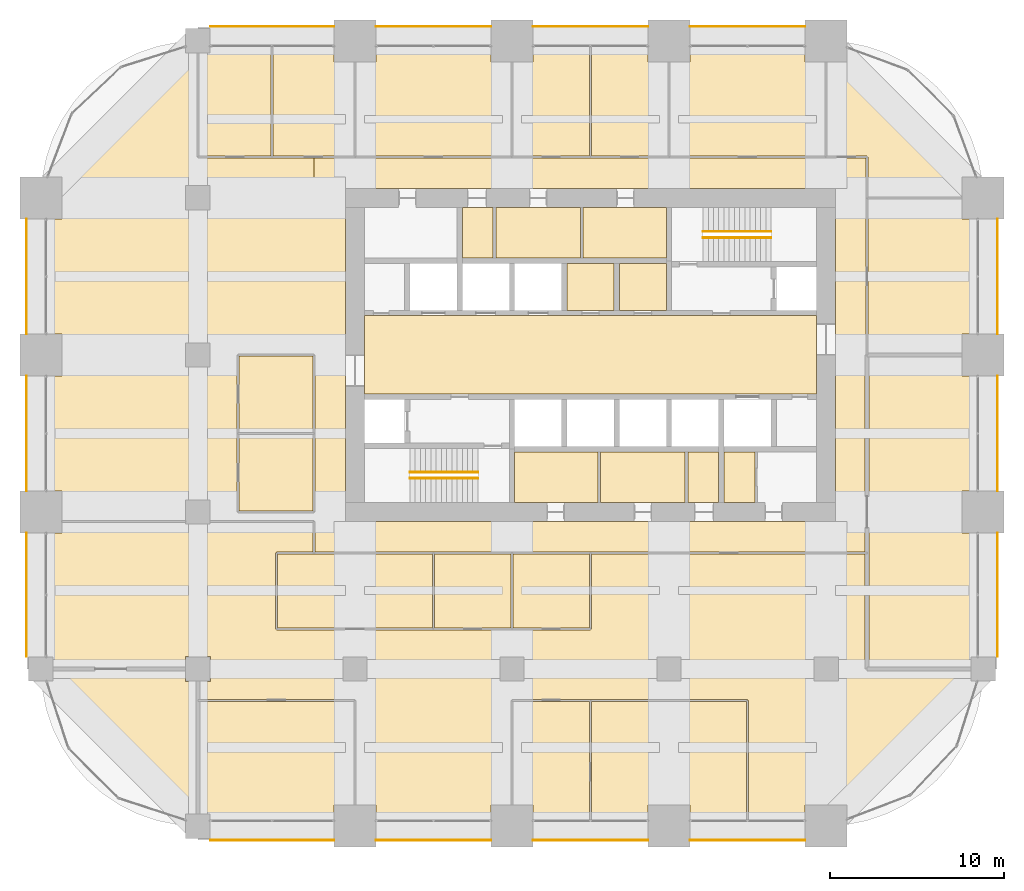
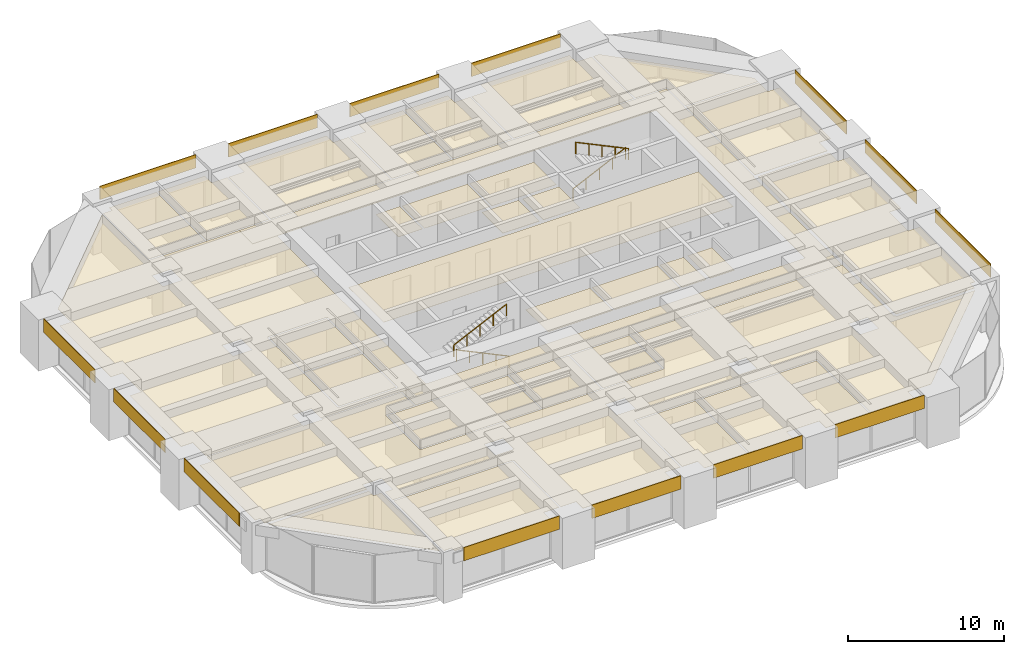
# One storey, part 34 of 34: 45 coverings, 4 railings.
"""IFC4 building model written with IfcOpenShell, lengths in metres."""

from ifc_helpers import new_model, si_unit, direction, frame, frame_2d, origin, origin_2d, place, context, subcontext, project, spatial, polyline, rectangle, circle, outline, extrude, material, layer, layer_set, type_object, element, save


model = new_model("IFC4")

# Units and contexts
model_context = context("Model", 3, precision=1e-05, world=origin(), true_north=direction((0.0, 1.0)))
body_context = subcontext(model_context, "Body", "Model", "MODEL_VIEW")
ifc_project = project(units=[si_unit("LENGTHUNIT", "METRE"), si_unit("AREAUNIT", "SQUARE_METRE"), si_unit("VOLUMEUNIT", "CUBIC_METRE"), si_unit("PLANEANGLEUNIT", "RADIAN"), si_unit("MASSUNIT", "GRAM", prefix="KILO")], contexts=[model_context])

# Site, building, storey
site_placement = place(None, origin())
site = spatial("IfcSite", under=ifc_project, at=site_placement, CompositionType="ELEMENT")
building_placement = place(site_placement, origin())
building = spatial("IfcBuilding", under=site, at=building_placement, Name="Zorevar Civic Tower", CompositionType="ELEMENT")
storey_placement = place(building_placement, frame((0.0, 0.0, 226.199951171875)))
storey = spatial("IfcBuildingStorey", under=building, at=storey_placement, Name="L55", CompositionType="ELEMENT", Elevation=226.199951171875)

# Railings
ifc_material_1 = material(Name="Black steel handrail", Category="steel")
railing_type = type_object("IfcRailingType", Name="Handrail HR1 900", PredefinedType="HANDRAIL", material=ifc_material_1)
railing_1_placement = place(storey_placement, frame((25.050048828125, 19.925048828125, 0.142822265625)))
element("IfcRailing", 1, at=railing_1_placement, inside=storey, type_object=railing_type, Name="Handrail HR1 ST1 L55", PredefinedType="HANDRAIL", context=body_context, shape_type="SweptSolid", body=[
    extrude(circle(Radius=0.02392578125, at=origin_2d()), frame((0.0, 0.0, 0.8759765625), z_axis=(-0.902863652845, 0.0, 0.429926998885), x_axis=(0.0, -1.0, 0.0)), (0.0, 0.0, 1.0), 4.31982421875),
    extrude(circle(Radius=0.02099609375, at=origin_2d()), origin(), (0.0, 0.0, 1.0), 0.851806640625),
    extrude(circle(Radius=0.02099609375, at=origin_2d()), frame((-0.97509765625, 0.0, 0.46435546875)), (0.0, 0.0, 1.0), 0.851806640625),
    extrude(circle(Radius=0.02099609375, at=origin_2d()), frame((-1.9501953125, 0.0, 0.9287109375)), (0.0, 0.0, 1.0), 0.851806640625),
    extrude(circle(Radius=0.02099609375, at=origin_2d()), frame((-2.925048828125, 0.0, 1.392822265625)), (0.0, 0.0, 1.0), 0.851806640625),
    extrude(circle(Radius=0.02099609375, at=origin_2d()), frame((-3.900146484375, 0.0, 1.857177734375)), (0.0, 0.0, 1.0), 0.851806640625),
])
for number, where, name in (
    (2, (21.14990234375, 20.27490234375, 2.142822265625), "Handrail HR1 ST1 L55"),
    (3, (37.949951171875, 34.074951171875, 0.142822265625), "Handrail HR1 ST2 L55"),
):
    element("IfcRailing", number, at=place(storey_placement, frame(where)), inside=storey, type_object=railing_type, Name=name, PredefinedType="HANDRAIL", context=body_context, shape_type="SweptSolid", body=[
        extrude(circle(Radius=0.02392578125, at=origin_2d()), frame((0.0, 0.0, 0.8759765625), z_axis=(0.902863652845, 0.0, 0.429926998885), x_axis=(0.0, 1.0, 0.0)), (0.0, 0.0, 1.0), 4.31982421875),
        extrude(circle(Radius=0.02099609375, at=origin_2d()), origin(), (0.0, 0.0, 1.0), 0.851806640625),
        extrude(circle(Radius=0.02099609375, at=origin_2d()), frame((0.97509765625, 0.0, 0.46435546875)), (0.0, 0.0, 1.0), 0.851806640625),
        extrude(circle(Radius=0.02099609375, at=origin_2d()), frame((1.9501953125, 0.0, 0.9287109375)), (0.0, 0.0, 1.0), 0.851806640625),
        extrude(circle(Radius=0.02099609375, at=origin_2d()), frame((2.925048828125, 0.0, 1.392822265625)), (0.0, 0.0, 1.0), 0.851806640625),
        extrude(circle(Radius=0.02099609375, at=origin_2d()), frame((3.900146484375, 0.0, 1.857177734375)), (0.0, 0.0, 1.0), 0.851806640625),
    ])
railing_2_placement = place(storey_placement, frame((41.85009765625, 33.72509765625, 2.142822265625)))
element("IfcRailing", 4, at=railing_2_placement, inside=storey, type_object=railing_type, Name="Handrail HR1 ST2 L55", PredefinedType="HANDRAIL", context=body_context, shape_type="SweptSolid", body=[
    extrude(circle(Radius=0.02392578125, at=origin_2d()), frame((0.0, 0.0, 0.8759765625), z_axis=(-0.902863652845, 0.0, 0.429926998885), x_axis=(0.0, -1.0, 0.0)), (0.0, 0.0, 1.0), 4.31982421875),
    extrude(circle(Radius=0.02099609375, at=origin_2d()), origin(), (0.0, 0.0, 1.0), 0.851806640625),
    extrude(circle(Radius=0.02099609375, at=origin_2d()), frame((-0.97509765625, 0.0, 0.46435546875)), (0.0, 0.0, 1.0), 0.851806640625),
    extrude(circle(Radius=0.02099609375, at=origin_2d()), frame((-1.9501953125, 0.0, 0.9287109375)), (0.0, 0.0, 1.0), 0.851806640625),
    extrude(circle(Radius=0.02099609375, at=origin_2d()), frame((-2.925048828125, 0.0, 1.392822265625)), (0.0, 0.0, 1.0), 0.851806640625),
    extrude(circle(Radius=0.02099609375, at=origin_2d()), frame((-3.900146484375, 0.0, 1.857177734375)), (0.0, 0.0, 1.0), 0.851806640625),
])

# Coverings
ifc_material_2 = material(Name="Moisture-resistant gypsum board")
ifc_layer_1 = layer(ifc_material_2, 0.012451171875)
ifc_layer_set_1 = layer_set([ifc_layer_1], Name="Moisture-resistant ceiling SC3")
covering_type_1 = type_object("IfcCoveringType", Name="Moisture-resistant ceiling SC3", PredefinedType="CEILING", material=ifc_layer_set_1)
covering_1_placement = place(storey_placement, frame((0.0, 0.0, 3.0)))
element("IfcCovering", 5, at=covering_1_placement, inside=storey, type_object=covering_type_1, Name="Ceiling L55-05", PredefinedType="CEILING", context=body_context, shape_type="SweptSolid", body=[
    extrude(outline(polyline([(31.925048828125, 18.550048828125), (31.925048828125, 21.449951171875), (27.14990234375, 21.449951171875), (27.14990234375, 18.550048828125), (31.925048828125, 18.550048828125)])), origin(), (0.0, 0.0, 1.0), 0.012451171875),
])
covering_2_placement = place(storey_placement, frame((0.0, 0.0, 3.0)))
element("IfcCovering", 6, at=covering_2_placement, inside=storey, type_object=covering_type_1, Name="Ceiling L55-06", PredefinedType="CEILING", context=body_context, shape_type="SweptSolid", body=[
    extrude(outline(polyline([(36.925048828125, 18.550048828125), (36.925048828125, 21.449951171875), (32.074951171875, 21.449951171875), (32.074951171875, 18.550048828125), (36.925048828125, 18.550048828125)])), origin(), (0.0, 0.0, 1.0), 0.012451171875),
])
covering_3_placement = place(storey_placement, frame((0.0, 0.0, 3.0)))
element("IfcCovering", 7, at=covering_3_placement, inside=storey, type_object=covering_type_1, Name="Ceiling L55-07", PredefinedType="CEILING", context=body_context, shape_type="SweptSolid", body=[
    extrude(outline(polyline([(38.85009765625, 18.550048828125), (38.85009765625, 21.449951171875), (37.074951171875, 21.449951171875), (37.074951171875, 18.550048828125), (38.85009765625, 18.550048828125)])), origin(), (0.0, 0.0, 1.0), 0.012451171875),
])
covering_4_placement = place(storey_placement, frame((0.0, 0.0, 3.0)))
element("IfcCovering", 8, at=covering_4_placement, inside=storey, type_object=covering_type_1, Name="Ceiling L55-08", PredefinedType="CEILING", context=body_context, shape_type="SweptSolid", body=[
    extrude(outline(polyline([(35.85009765625, 32.550048828125), (35.85009765625, 35.449951171875), (31.074951171875, 35.449951171875), (31.074951171875, 32.550048828125), (35.85009765625, 32.550048828125)])), origin(), (0.0, 0.0, 1.0), 0.012451171875),
])
covering_5_placement = place(storey_placement, frame((0.0, 0.0, 3.0)))
element("IfcCovering", 9, at=covering_5_placement, inside=storey, type_object=covering_type_1, Name="Ceiling L55-09", PredefinedType="CEILING", context=body_context, shape_type="SweptSolid", body=[
    extrude(outline(polyline([(30.925048828125, 32.550048828125), (30.925048828125, 35.449951171875), (26.074951171875, 35.449951171875), (26.074951171875, 32.550048828125), (30.925048828125, 32.550048828125)])), origin(), (0.0, 0.0, 1.0), 0.012451171875),
])
covering_6_placement = place(storey_placement, frame((0.0, 0.0, 3.0)))
element("IfcCovering", 10, at=covering_6_placement, inside=storey, type_object=covering_type_1, Name="Ceiling L55-10", PredefinedType="CEILING", context=body_context, shape_type="SweptSolid", body=[
    extrude(outline(polyline([(25.925048828125, 32.550048828125), (25.925048828125, 35.449951171875), (24.14990234375, 35.449951171875), (24.14990234375, 32.550048828125), (25.925048828125, 32.550048828125)])), origin(), (0.0, 0.0, 1.0), 0.012451171875),
])
ifc_material_3 = material(Name="Black anodised aluminium spandrel panel", Category="aluminium")
ifc_layer_2 = layer(ifc_material_3, 0.050048828125)
ifc_layer_set_2 = layer_set([ifc_layer_2], Name="Spandrel cladding SP1")
covering_type_2 = type_object("IfcCoveringType", Name="Spandrel cladding SP1", PredefinedType="CLADDING", material=ifc_layer_set_2)
covering_7_placement = place(storey_placement, frame((9.699951171875, -0.824951171875, 2.949951171875), z_axis=(0.0, 0.0, 1.0), x_axis=(1.0, 0.0, 0.0)))
element("IfcCovering", 11, at=covering_7_placement, inside=storey, type_object=covering_type_2, Name="Spandrel cladding L56", PredefinedType="CLADDING", context=body_context, shape_type="SweptSolid", body=[
    extrude(rectangle(XDim=7.10009765625, YDim=0.050048828125, at=frame_2d((3.550048828125, 0.0))), origin(), (0.0, 0.0, 1.0), 1.050048828125),
])
for number, where, z_axis, x_axis, name in (
    (12, (19.199951171875, -0.824951171875, 2.949951171875), (0.0, 0.0, 1.0), (1.0, 0.0, 0.0), "Spandrel cladding L56"),
    (13, (28.199951171875, -0.824951171875, 2.949951171875), (0.0, 0.0, 1.0), (1.0, 0.0, 0.0), "Spandrel cladding L56"),
    (14, (37.199951171875, -0.824951171875, 2.949951171875), (0.0, 0.0, 1.0), (1.0, 0.0, 0.0), "Spandrel cladding L56"),
):
    element("IfcCovering", number, at=place(storey_placement, frame(where, z_axis=z_axis, x_axis=x_axis)), inside=storey, type_object=covering_type_2, Name=name, PredefinedType="CLADDING", context=body_context, shape_type="SweptSolid", body=[
        extrude(rectangle(XDim=6.60009765625, YDim=0.050048828125, at=frame_2d((3.300048828125, 0.0))), origin(), (0.0, 0.0, 1.0), 1.050048828125),
    ])
covering_8_placement = place(storey_placement, frame((9.699951171875, 45.824951171875, 2.949951171875), z_axis=(0.0, 0.0, 1.0), x_axis=(1.0, 0.0, 0.0)))
element("IfcCovering", 15, at=covering_8_placement, inside=storey, type_object=covering_type_2, Name="Spandrel cladding L56", PredefinedType="CLADDING", context=body_context, shape_type="SweptSolid", body=[
    extrude(rectangle(XDim=7.10009765625, YDim=0.050048828125, at=frame_2d((3.550048828125, 0.0))), origin(), (0.0, 0.0, 1.0), 1.050048828125),
])
for number, where, z_axis, x_axis, name in (
    (16, (19.199951171875, 45.824951171875, 2.949951171875), (0.0, 0.0, 1.0), (1.0, 0.0, 0.0), "Spandrel cladding L56"),
    (17, (28.199951171875, 45.824951171875, 2.949951171875), (0.0, 0.0, 1.0), (1.0, 0.0, 0.0), "Spandrel cladding L56"),
    (18, (37.199951171875, 45.824951171875, 2.949951171875), (0.0, 0.0, 1.0), (1.0, 0.0, 0.0), "Spandrel cladding L56"),
):
    element("IfcCovering", number, at=place(storey_placement, frame(where, z_axis=z_axis, x_axis=x_axis)), inside=storey, type_object=covering_type_2, Name=name, PredefinedType="CLADDING", context=body_context, shape_type="SweptSolid", body=[
        extrude(rectangle(XDim=6.60009765625, YDim=0.050048828125, at=frame_2d((3.300048828125, 0.0))), origin(), (0.0, 0.0, 1.0), 1.050048828125),
    ])
covering_9_placement = place(storey_placement, frame((-0.824951171875, 9.699951171875, 2.949951171875), z_axis=(0.0, 0.0, 1.0), x_axis=(0.0, 1.0, 0.0)))
element("IfcCovering", 19, at=covering_9_placement, inside=storey, type_object=covering_type_2, Name="Spandrel cladding L56", PredefinedType="CLADDING", context=body_context, shape_type="SweptSolid", body=[
    extrude(rectangle(XDim=7.10009765625, YDim=0.050048828125, at=frame_2d((3.550048828125, 0.0))), origin(), (0.0, 0.0, 1.0), 1.050048828125),
])
for number, where, z_axis, x_axis, name in (
    (20, (-0.824951171875, 19.199951171875, 2.949951171875), (0.0, 0.0, 1.0), (0.0, 1.0, 0.0), "Spandrel cladding L56"),
    (21, (-0.824951171875, 28.199951171875, 2.949951171875), (0.0, 0.0, 1.0), (0.0, 1.0, 0.0), "Spandrel cladding L56"),
):
    element("IfcCovering", number, at=place(storey_placement, frame(where, z_axis=z_axis, x_axis=x_axis)), inside=storey, type_object=covering_type_2, Name=name, PredefinedType="CLADDING", context=body_context, shape_type="SweptSolid", body=[
        extrude(rectangle(XDim=6.60009765625, YDim=0.050048828125, at=frame_2d((3.300048828125, 0.0))), origin(), (0.0, 0.0, 1.0), 1.050048828125),
    ])
covering_10_placement = place(storey_placement, frame((54.824951171875, 9.699951171875, 2.949951171875), z_axis=(0.0, 0.0, 1.0), x_axis=(0.0, 1.0, 0.0)))
element("IfcCovering", 22, at=covering_10_placement, inside=storey, type_object=covering_type_2, Name="Spandrel cladding L56", PredefinedType="CLADDING", context=body_context, shape_type="SweptSolid", body=[
    extrude(rectangle(XDim=7.10009765625, YDim=0.050048828125, at=frame_2d((3.550048828125, 0.0))), origin(), (0.0, 0.0, 1.0), 1.050048828125),
])
for number, where, z_axis, x_axis, name in (
    (23, (54.824951171875, 19.199951171875, 2.949951171875), (0.0, 0.0, 1.0), (0.0, 1.0, 0.0), "Spandrel cladding L56"),
    (24, (54.824951171875, 28.199951171875, 2.949951171875), (0.0, 0.0, 1.0), (0.0, 1.0, 0.0), "Spandrel cladding L56"),
):
    element("IfcCovering", number, at=place(storey_placement, frame(where, z_axis=z_axis, x_axis=x_axis)), inside=storey, type_object=covering_type_2, Name=name, PredefinedType="CLADDING", context=body_context, shape_type="SweptSolid", body=[
        extrude(rectangle(XDim=6.60009765625, YDim=0.050048828125, at=frame_2d((3.300048828125, 0.0))), origin(), (0.0, 0.0, 1.0), 1.050048828125),
    ])
ifc_material_4 = material(Name="Mineral fibre tiles on a concealed grid")
ifc_layer_3 = layer(ifc_material_4, 0.02001953125)
ifc_layer_set_3 = layer_set([ifc_layer_3], Name="Suspended ceiling SC1")
covering_type_3 = type_object("IfcCoveringType", Name="Suspended ceiling SC1", PredefinedType="CEILING", material=ifc_layer_set_3)
covering_11_placement = place(storey_placement, frame((0.0, 0.0, 3.0)))
element("IfcCovering", 25, at=covering_11_placement, inside=storey, type_object=covering_type_3, Name="Ceiling L55-11", PredefinedType="CEILING", context=body_context, shape_type="SweptSolid", body=[
    extrude(outline(polyline([(40.93994140625, 18.550048828125), (40.93994140625, 21.449951171875), (39.14990234375, 21.449951171875), (39.14990234375, 18.550048828125), (40.93994140625, 18.550048828125)])), origin(), (0.0, 0.0, 1.0), 0.02001953125),
])
covering_12_placement = place(storey_placement, frame((0.0, 0.0, 3.0)))
element("IfcCovering", 26, at=covering_12_placement, inside=storey, type_object=covering_type_3, Name="Ceiling L55-16", PredefinedType="CEILING", context=body_context, shape_type="SweptSolid", body=[
    extrude(outline(polyline([(44.449951171875, 24.75), (44.449951171875, 29.25), (18.550048828125, 29.25), (18.550048828125, 24.75), (44.449951171875, 24.75)])), origin(), (0.0, 0.0, 1.0), 0.02001953125),
])
covering_13_placement = place(storey_placement, frame((0.0, 0.0, 3.0)))
element("IfcCovering", 27, at=covering_13_placement, inside=storey, type_object=covering_type_3, Name="Ceiling L55-17", PredefinedType="CEILING", context=body_context, shape_type="SweptSolid", body=[
    extrude(outline(polyline([(35.85009765625, 29.550048828125), (35.85009765625, 32.25), (33.14990234375, 32.25), (33.14990234375, 29.550048828125), (35.85009765625, 29.550048828125)])), origin(), (0.0, 0.0, 1.0), 0.02001953125),
])
covering_14_placement = place(storey_placement, frame((0.0, 0.0, 3.0)))
element("IfcCovering", 28, at=covering_14_placement, inside=storey, type_object=covering_type_3, Name="Ceiling L55-18", PredefinedType="CEILING", context=body_context, shape_type="SweptSolid", body=[
    extrude(outline(polyline([(32.85009765625, 29.550048828125), (32.85009765625, 32.25), (30.14990234375, 32.25), (30.14990234375, 29.550048828125), (32.85009765625, 29.550048828125)])), origin(), (0.0, 0.0, 1.0), 0.02001953125),
])
covering_15_placement = place(storey_placement, frame((0.0, 0.0, 3.0)))
element("IfcCovering", 29, at=covering_15_placement, inside=storey, type_object=covering_type_3, Name="Ceiling L55-19", PredefinedType="CEILING", context=body_context, shape_type="SweptSolid", body=[
    extrude(outline(polyline([(53.64990234375, 19.2099609375), (52.7900390625, 19.2099609375), (52.7900390625, 16.7900390625), (53.64990234375, 16.7900390625), (53.64990234375, 9.7099609375), (53.2900390625, 9.7099609375), (53.2900390625, 9.125), (47.47509765625, 9.125), (47.47509765625, 26.875), (52.7900390625, 26.875), (52.7900390625, 25.7900390625), (53.64990234375, 25.7900390625), (53.64990234375, 19.2099609375)])), origin(), (0.0, 0.0, 1.0), 0.02001953125),
])
covering_16_placement = place(storey_placement, frame((0.0, 0.0, 3.0)))
element("IfcCovering", 30, at=covering_16_placement, inside=storey, type_object=covering_type_3, Name="Ceiling L55-20", PredefinedType="CEILING", context=body_context, shape_type="SweptSolid", body=[
    extrude(outline(polyline([(53.64990234375, 28.2099609375), (52.7900390625, 28.2099609375), (52.7900390625, 27.125), (47.409912109375, 27.125), (47.409912109375, 35.93994140625), (52.7900390625, 35.93994140625), (52.7900390625, 34.7900390625), (53.64990234375, 34.7900390625), (53.64990234375, 28.2099609375)])), origin(), (0.0, 0.0, 1.0), 0.02001953125),
])
covering_17_placement = place(storey_placement, frame((0.0, 0.0, 3.0)))
element("IfcCovering", 31, at=covering_17_placement, inside=storey, type_object=covering_type_3, Name="Ceiling L55-21", PredefinedType="CEILING", context=body_context, shape_type="SweptSolid", body=[
    extrude(outline(polyline([(9.7099609375, 0.35009765625), (9.7099609375, 0.7099609375), (9.125, 0.7099609375), (9.125, 7.139892578125), (17.93994140625, 7.139892578125), (17.93994140625, 1.2099609375), (16.7900390625, 1.2099609375), (16.7900390625, 0.35009765625), (9.7099609375, 0.35009765625)])), origin(), (0.0, 0.0, 1.0), 0.02001953125),
])
covering_18_placement = place(storey_placement, frame((0.0, 0.0, 3.0)))
element("IfcCovering", 32, at=covering_18_placement, inside=storey, type_object=covering_type_3, Name="Ceiling L55-22", PredefinedType="CEILING", context=body_context, shape_type="SweptSolid", body=[
    extrude(outline(polyline([(31.43994140625, 7.139892578125), (31.43994140625, 0.35009765625), (28.2099609375, 0.35009765625), (28.2099609375, 1.2099609375), (27.06005859375, 1.2099609375), (27.06005859375, 7.139892578125), (31.43994140625, 7.139892578125)])), origin(), (0.0, 0.0, 1.0), 0.02001953125),
])
covering_19_placement = place(storey_placement, frame((0.0, 0.0, 3.0)))
element("IfcCovering", 33, at=covering_19_placement, inside=storey, type_object=covering_type_3, Name="Ceiling L55-23", PredefinedType="CEILING", context=body_context, shape_type="SweptSolid", body=[
    extrude(outline(polyline([(40.43994140625, 7.139892578125), (40.43994140625, 0.35009765625), (37.2099609375, 0.35009765625), (37.2099609375, 1.2099609375), (34.7900390625, 1.2099609375), (34.7900390625, 0.35009765625), (31.56005859375, 0.35009765625), (31.56005859375, 7.139892578125), (40.43994140625, 7.139892578125)])), origin(), (0.0, 0.0, 1.0), 0.02001953125),
])
covering_20_placement = place(storey_placement, frame((0.0, 0.0, 3.0)))
element("IfcCovering", 34, at=covering_20_placement, inside=storey, type_object=covering_type_3, Name="Ceiling L55-24", PredefinedType="CEILING", context=body_context, shape_type="SweptSolid", body=[
    extrude(outline(polyline([(13.56005859375, 15.590087890625), (22.43994140625, 15.590087890625), (22.43994140625, 11.35009765625), (13.56005859375, 11.35009765625), (13.56005859375, 15.590087890625)])), origin(), (0.0, 0.0, 1.0), 0.02001953125),
])
covering_21_placement = place(storey_placement, frame((0.0, 0.0, 3.0)))
element("IfcCovering", 35, at=covering_21_placement, inside=storey, type_object=covering_type_3, Name="Ceiling L55-25", PredefinedType="CEILING", context=body_context, shape_type="SweptSolid", body=[
    extrude(outline(polyline([(22.56005859375, 15.590087890625), (26.93994140625, 15.590087890625), (26.93994140625, 11.35009765625), (22.56005859375, 11.35009765625), (22.56005859375, 15.590087890625)])), origin(), (0.0, 0.0, 1.0), 0.02001953125),
])
covering_22_placement = place(storey_placement, frame((0.0, 0.0, 3.0)))
element("IfcCovering", 36, at=covering_22_placement, inside=storey, type_object=covering_type_3, Name="Ceiling L55-26", PredefinedType="CEILING", context=body_context, shape_type="SweptSolid", body=[
    extrude(outline(polyline([(27.06005859375, 15.590087890625), (31.43994140625, 15.590087890625), (31.43994140625, 11.35009765625), (27.06005859375, 11.35009765625), (27.06005859375, 15.590087890625)])), origin(), (0.0, 0.0, 1.0), 0.02001953125),
])
covering_23_placement = place(storey_placement, frame((0.0, 0.0, 3.0)))
element("IfcCovering", 37, at=covering_23_placement, inside=storey, type_object=covering_type_3, Name="Ceiling L55-27", PredefinedType="CEILING", context=body_context, shape_type="SweptSolid", body=[
    extrude(outline(polyline([(15.590087890625, 22.43994140625), (15.590087890625, 18.06005859375), (11.360107421875, 18.06005859375), (11.360107421875, 22.43994140625), (15.590087890625, 22.43994140625)])), origin(), (0.0, 0.0, 1.0), 0.02001953125),
])
covering_24_placement = place(storey_placement, frame((0.0, 0.0, 3.0)))
element("IfcCovering", 38, at=covering_24_placement, inside=storey, type_object=covering_type_3, Name="Ceiling L55-28", PredefinedType="CEILING", context=body_context, shape_type="SweptSolid", body=[
    extrude(outline(polyline([(11.360107421875, 22.56005859375), (11.360107421875, 26.93994140625), (15.590087890625, 26.93994140625), (15.590087890625, 22.56005859375), (11.360107421875, 22.56005859375)])), origin(), (0.0, 0.0, 1.0), 0.02001953125),
])
covering_25_placement = place(storey_placement, frame((0.0, 0.0, 3.0)))
element("IfcCovering", 39, at=covering_25_placement, inside=storey, type_object=covering_type_3, Name="Ceiling L55-29", PredefinedType="CEILING", context=body_context, shape_type="SweptSolid", body=[
    extrude(outline(polyline([(9.06005859375, 38.409912109375), (9.06005859375, 44.2900390625), (9.7099609375, 44.2900390625), (9.7099609375, 44.64990234375), (13.18994140625, 44.64990234375), (13.18994140625, 38.409912109375), (9.06005859375, 38.409912109375)])), origin(), (0.0, 0.0, 1.0), 0.02001953125),
])
covering_26_placement = place(storey_placement, frame((0.0, 0.0, 3.0)))
element("IfcCovering", 40, at=covering_26_placement, inside=storey, type_object=covering_type_3, Name="Ceiling L55-30", PredefinedType="CEILING", context=body_context, shape_type="SweptSolid", body=[
    extrude(outline(polyline([(13.31005859375, 38.409912109375), (13.31005859375, 44.64990234375), (16.7900390625, 44.64990234375), (16.7900390625, 43.7900390625), (17.93994140625, 43.7900390625), (17.93994140625, 38.409912109375), (13.31005859375, 38.409912109375)])), origin(), (0.0, 0.0, 1.0), 0.02001953125),
])
covering_27_placement = place(storey_placement, frame((0.0, 0.0, 3.0)))
element("IfcCovering", 41, at=covering_27_placement, inside=storey, type_object=covering_type_3, Name="Ceiling L55-31", PredefinedType="CEILING", context=body_context, shape_type="SweptSolid", body=[
    extrude(outline(polyline([(27.06005859375, 38.409912109375), (27.06005859375, 43.7900390625), (28.2099609375, 43.7900390625), (28.2099609375, 44.64990234375), (31.43994140625, 44.64990234375), (31.43994140625, 38.409912109375), (27.06005859375, 38.409912109375)])), origin(), (0.0, 0.0, 1.0), 0.02001953125),
])
covering_28_placement = place(storey_placement, frame((0.0, 0.0, 3.0)))
element("IfcCovering", 42, at=covering_28_placement, inside=storey, type_object=covering_type_3, Name="Ceiling L55-32", PredefinedType="CEILING", context=body_context, shape_type="SweptSolid", body=[
    extrude(outline(polyline([(31.56005859375, 38.409912109375), (31.56005859375, 44.64990234375), (34.7900390625, 44.64990234375), (34.7900390625, 43.7900390625), (35.93994140625, 43.7900390625), (35.93994140625, 38.409912109375), (31.56005859375, 38.409912109375)])), origin(), (0.0, 0.0, 1.0), 0.02001953125),
])
covering_29_placement = place(storey_placement, frame((0.0, 0.0, 3.0)))
element("IfcCovering", 43, at=covering_29_placement, inside=storey, type_object=covering_type_3, Name="Ceiling L55-33", PredefinedType="CEILING", context=body_context, shape_type="SweptSolid", body=[
    extrude(outline(polyline([(37.2099609375, 43.7900390625), (37.2099609375, 44.64990234375), (43.7900390625, 44.64990234375), (43.7900390625, 43.7900390625), (44.93994140625, 43.7900390625), (44.93994140625, 38.409912109375), (36.06005859375, 38.409912109375), (36.06005859375, 43.7900390625), (37.2099609375, 43.7900390625)])), origin(), (0.0, 0.0, 1.0), 0.02001953125),
])
covering_30_placement = place(storey_placement, frame((0.0, 0.0, 3.0)))
element("IfcCovering", 44, at=covering_30_placement, inside=storey, type_object=covering_type_3, Name="Ceiling L55-34", PredefinedType="CEILING", context=body_context, shape_type="SweptSolid", body=[
    extrude(outline(polyline([(8.2900390625, 8.875), (8.2900390625, 8.2900390625), (8.875, 8.2900390625), (8.875, 0.83203125), (0.83203125, 8.875), (8.2900390625, 8.875)])), origin(), (0.0, 0.0, 1.0), 0.02001953125),
])
covering_31_placement = place(storey_placement, frame((0.0, 0.0, 3.0)))
element("IfcCovering", 45, at=covering_31_placement, inside=storey, type_object=covering_type_3, Name="Ceiling L55-35", PredefinedType="CEILING", context=body_context, shape_type="SweptSolid", body=[
    extrude(outline(polyline([(18.0, 38.2900390625), (18.0, 38.300048828125), (27.0, 38.300048828125), (27.0, 38.2900390625), (45.0, 38.2900390625), (45.0, 38.300048828125), (47.300048828125, 38.300048828125), (47.300048828125, 36.0), (47.2900390625, 36.0), (47.2900390625, 27.0), (47.22509765625, 27.0), (47.22509765625, 15.699951171875), (31.5, 15.699951171875), (31.5, 15.7099609375), (15.699951171875, 15.7099609375), (15.699951171875, 17.449951171875), (45.550048828125, 17.449951171875), (45.550048828125, 36.550048828125), (15.64990234375, 36.550048828125), (15.64990234375, 38.2900390625), (18.0, 38.2900390625)])), origin(), (0.0, 0.0, 1.0), 0.02001953125),
])
covering_32_placement = place(storey_placement, frame((0.0, 0.0, 3.0)))
element("IfcCovering", 46, at=covering_32_placement, inside=storey, type_object=covering_type_3, Name="Ceiling L55-36", PredefinedType="CEILING", context=body_context, shape_type="SweptSolid", body=[
    extrude(outline(polyline([(26.93994140625, 38.39990234375), (18.06005859375, 38.39990234375), (18.06005859375, 43.7900390625), (19.2099609375, 43.7900390625), (19.2099609375, 44.64990234375), (25.7900390625, 44.64990234375), (25.7900390625, 43.7900390625), (26.93994140625, 43.7900390625), (26.93994140625, 38.39990234375)])), origin(), (0.0, 0.0, 1.0), 0.02001953125),
])
covering_33_placement = place(storey_placement, frame((0.0, 0.0, 3.0)))
element("IfcCovering", 47, at=covering_33_placement, inside=storey, type_object=covering_type_3, Name="Ceiling L55-37", PredefinedType="CEILING", context=body_context, shape_type="SweptSolid", body=[
    extrude(outline(polyline([(47.3505859375, 38.40087890625), (45.06103515625, 38.40087890625), (45.06103515625, 43.7900390625), (45.5029296875, 43.7900390625), (52.7900390625, 36.5029296875), (52.7900390625, 36.06005859375), (47.39990234375, 36.06005859375), (47.40087890625, 38.35009765625), (47.35107421875, 38.35107421875), (47.3505859375, 38.40087890625)])), origin(), (0.0, 0.0, 1.0), 0.02001953125),
])
covering_34_placement = place(storey_placement, frame((0.0, 0.0, 3.0)))
element("IfcCovering", 48, at=covering_34_placement, inside=storey, type_object=covering_type_3, Name="Ceiling L55-38", PredefinedType="CEILING", context=body_context, shape_type="SweptSolid", body=[
    extrude(outline(polyline([(0.35009765625, 16.7900390625), (1.2099609375, 16.7900390625), (1.2099609375, 17.39990234375), (8.2900390625, 17.39990234375), (8.2900390625, 17.2900390625), (9.7099609375, 17.2900390625), (9.7099609375, 17.39990234375), (15.60009765625, 17.39990234375), (15.60009765625, 15.7099609375), (13.5, 15.7099609375), (13.5, 15.64990234375), (13.43994140625, 15.64990234375), (13.43994140625, 11.300048828125), (13.5, 11.300048828125), (13.5, 11.25), (31.5, 11.25), (31.5, 11.300048828125), (31.56005859375, 11.300048828125), (31.56005859375, 15.60009765625), (47.22509765625, 15.60009765625), (47.22509765625, 9.0), (47.35009765625, 9.0), (47.35009765625, 8.875), (53.16796875, 8.875), (45.5029296875, 1.2099609375), (43.7900390625, 1.2099609375), (43.7900390625, 0.35009765625), (40.56005859375, 0.35009765625), (40.56005859375, 7.199951171875), (40.5, 7.199951171875), (40.5, 7.260009765625), (27.0, 7.260009765625), (27.0, 7.199951171875), (26.93994140625, 7.199951171875), (26.93994140625, 1.2099609375), (25.7900390625, 1.2099609375), (25.7900390625, 0.35009765625), (19.2099609375, 0.35009765625), (19.2099609375, 1.2099609375), (18.06005859375, 1.2099609375), (18.06005859375, 7.199951171875), (18.0, 7.199951171875), (18.0, 7.260009765625), (9.125, 7.260009765625), (9.125, 8.2900390625), (9.7099609375, 8.2900390625), (9.7099609375, 9.7099609375), (8.2900390625, 9.7099609375), (8.2900390625, 9.125), (0.7099609375, 9.125), (0.7099609375, 9.7099609375), (0.35009765625, 9.7099609375), (0.35009765625, 16.7900390625)]), holes=[polyline([(18.7099609375, 8.2900390625), (18.7099609375, 9.7099609375), (17.2900390625, 9.7099609375), (17.2900390625, 8.2900390625), (18.7099609375, 8.2900390625)]), polyline([(26.2900390625, 9.7099609375), (26.2900390625, 8.2900390625), (27.7099609375, 8.2900390625), (27.7099609375, 9.7099609375), (26.2900390625, 9.7099609375)]), polyline([(36.7099609375, 9.7099609375), (35.2900390625, 9.7099609375), (35.2900390625, 8.2900390625), (36.7099609375, 8.2900390625), (36.7099609375, 9.7099609375)]), polyline([(44.2900390625, 8.2900390625), (45.7099609375, 8.2900390625), (45.7099609375, 9.7099609375), (44.2900390625, 9.7099609375), (44.2900390625, 8.2900390625)])]), origin(), (0.0, 0.0, 1.0), 0.02001953125),
])
covering_35_placement = place(storey_placement, frame((0.0, 0.0, 3.0)))
element("IfcCovering", 49, at=covering_35_placement, inside=storey, type_object=covering_type_3, Name="Ceiling L55-39", PredefinedType="CEILING", context=body_context, shape_type="SweptSolid", body=[
    extrude(outline(polyline([(8.93994140625, 38.35107421875), (9.0, 38.35009765625), (9.000244140625, 38.290283203125), (15.64990234375, 38.2900390625), (15.650390625, 36.54931640625), (17.448974609375, 36.549072265625), (17.448974609375, 17.450927734375), (15.65087890625, 17.450927734375), (15.64990234375, 17.5009765625), (9.7099609375, 17.5009765625), (9.7099609375, 18.7099609375), (8.2900390625, 18.7099609375), (8.2900390625, 17.5009765625), (1.2099609375, 17.5009765625), (1.2099609375, 19.2099609375), (0.35107421875, 19.2099609375), (0.35107421875, 25.7900390625), (1.2099609375, 25.7900390625), (1.2099609375, 28.2099609375), (0.35107421875, 28.2099609375), (0.35107421875, 34.7900390625), (1.2099609375, 34.7900390625), (1.2099609375, 36.5029296875), (8.93994140625, 44.23291015625), (8.93994140625, 38.35107421875)]), holes=[polyline([(11.299072265625, 27.0009765625), (11.239013671875, 27.00048828125), (11.239013671875, 18.0), (11.299072265625, 17.9990234375), (11.299072265625, 17.939453125), (15.64990234375, 17.93896484375), (15.65087890625, 17.9990234375), (15.7109375, 17.99951171875), (15.7109375, 27.0), (15.65087890625, 27.0009765625), (15.650390625, 27.060791015625), (11.300048828125, 27.06103515625), (11.299072265625, 27.0009765625)]), polyline([(9.7099609375, 26.2900390625), (9.7099609375, 27.7099609375), (8.2900390625, 27.7099609375), (8.2900390625, 26.2900390625), (9.7099609375, 26.2900390625)]), polyline([(8.2900390625, 35.2900390625), (9.7099609375, 35.2900390625), (9.7099609375, 36.7099609375), (8.2900390625, 36.7099609375), (8.2900390625, 35.2900390625)])]), origin(), (0.0, 0.0, 1.0), 0.02001953125),
])

save(model, "model.ifc")
